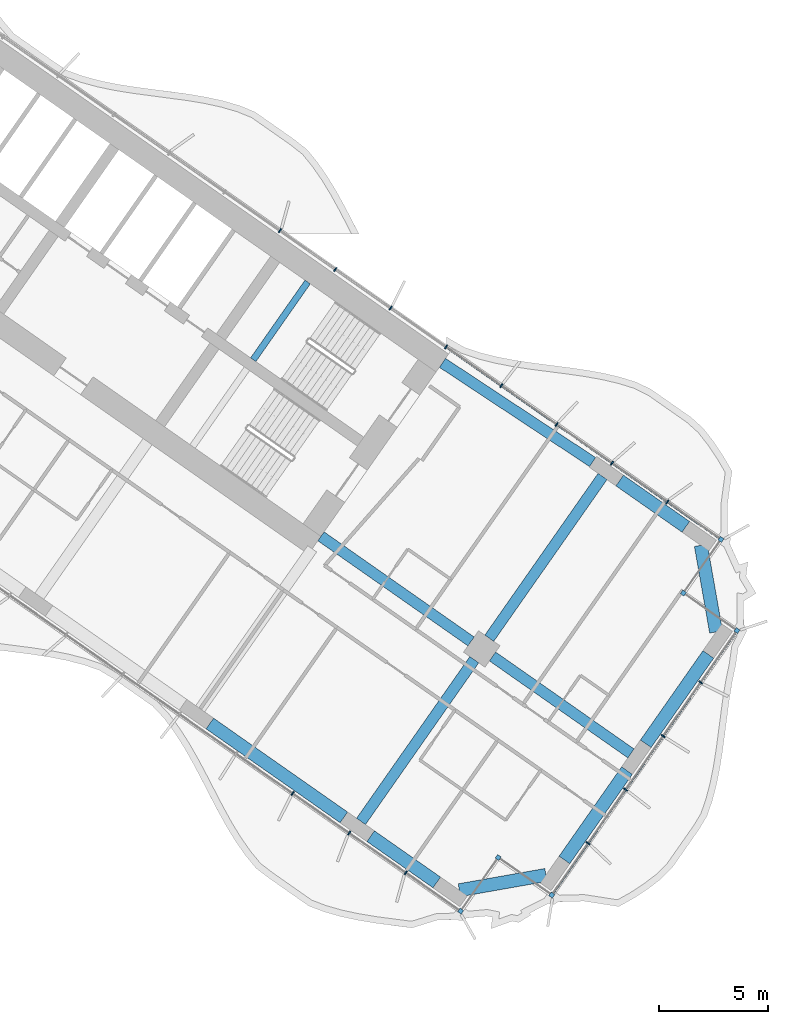
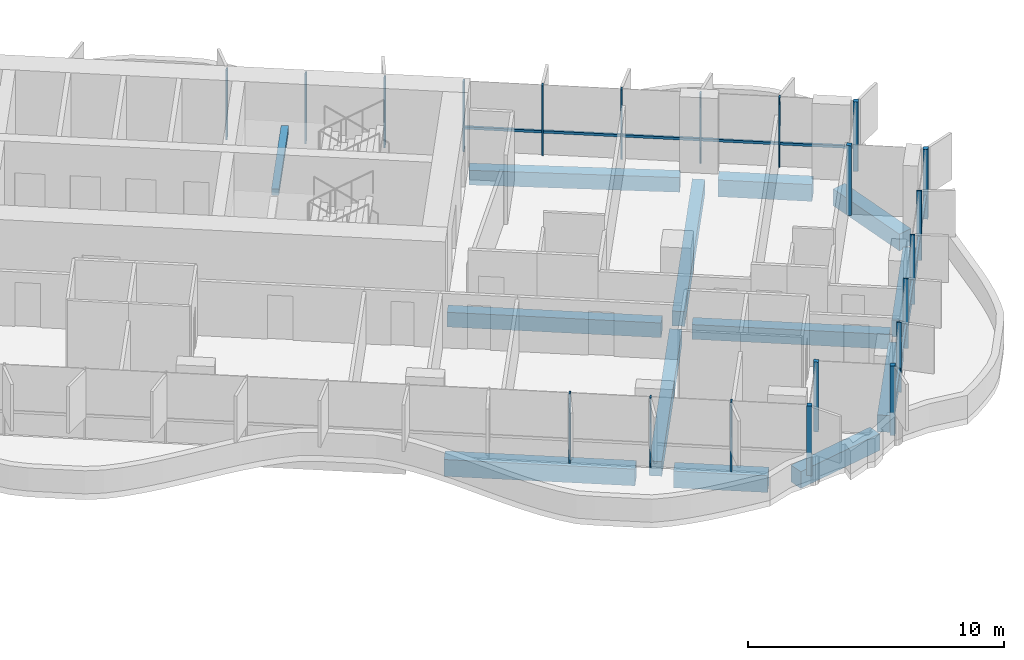
# One storey, part 9 of 23: 23 members, 13 beams, 2 elements without a shape of their own.
"""IFC4 building model written with IfcOpenShell, lengths in metres."""

from ifc_helpers import new_model, si_unit, direction, frame, origin, origin_2d, place, context, subcontext, project, spatial, rectangle, extrude, material, material_profile, profile_set, type_object, element, aggregate, save


model = new_model("IFC4")

# Units and contexts
model_context = context("Model", 3, precision=1e-05, world=origin(), true_north=direction((0.0, 1.0)))
body_context = subcontext(model_context, "Body", "Model", "MODEL_VIEW")
ifc_project = project(units=[si_unit("LENGTHUNIT", "METRE"), si_unit("AREAUNIT", "SQUARE_METRE"), si_unit("VOLUMEUNIT", "CUBIC_METRE"), si_unit("PLANEANGLEUNIT", "RADIAN"), si_unit("MASSUNIT", "GRAM", prefix="KILO")], contexts=[model_context])

# Site, building, storey
site_placement = place(None, origin())
site = spatial("IfcSite", under=ifc_project, at=site_placement, CompositionType="ELEMENT")
building_placement = place(site_placement, origin())
building = spatial("IfcBuilding", under=site, at=building_placement, Name="Tel Ilan Convention Tower", CompositionType="ELEMENT")
storey_placement = place(building_placement, frame((0.0, 0.0, 86.89990234375)))
storey = spatial("IfcBuildingStorey", under=building, at=storey_placement, Name="L17", CompositionType="ELEMENT", Elevation=86.89990234375)

# Beams
ifc_material_1 = material(Name="Concrete C40/50", Category="concrete")
ifc_material_profile_1 = material_profile(ifc_material_1, rectangle(XDim=0.5, YDim=0.699951171875, at=origin_2d()), Name="RC 500x700")
ifc_profile_set_1 = profile_set([ifc_material_profile_1], Name="Concrete C40/50")
beam_type_1 = type_object("IfcBeamType", Name="Beam RC 500x700 Concrete C40/50", PredefinedType="BEAM", material=ifc_profile_set_1)
beam_1_placement = place(storey_placement, frame((34.570556640625, -12.08447265625, -0.6298828125), z_axis=(-0.834273603487, 0.551350663847, 0.0), x_axis=(-0.551350663847, -0.834273603487, 0.0)))
element("IfcBeam", 1, at=beam_1_placement, inside=storey, type_object=beam_type_1, Name="L17 beam E-E-B4-core", PredefinedType="BEAM", context=body_context, shape_type="SweptSolid", body=[
    extrude(rectangle(XDim=0.5, YDim=0.699951171875, at=origin_2d()), origin(), (0.0, 0.0, 1.0), 8.2529296875),
])
beam_2_placement = place(storey_placement, frame((22.1171875, -15.486572265625, -0.6298828125), z_axis=(0.819147254605, -0.573583276668, 0.0), x_axis=(0.573583276668, 0.819147254605, 0.0)))
element("IfcBeam", 2, at=beam_2_placement, inside=storey, type_object=beam_type_1, Name="L17 beam E-core-E-M4", PredefinedType="BEAM", context=body_context, shape_type="SweptSolid", body=[
    extrude(rectangle(XDim=0.5, YDim=0.699951171875, at=origin_2d()), origin(), (0.0, 0.0, 1.0), 8.400146484375),
])
beam_3_placement = place(storey_placement, frame((29.98095703125, -20.992919921875, -0.6298828125), z_axis=(0.819159394801, -0.573565938589, 0.0), x_axis=(0.573565938589, 0.819159394801, 0.0)))
element("IfcBeam", 3, at=beam_3_placement, inside=storey, type_object=beam_type_1, Name="L17 beam E-E-M4-end", PredefinedType="BEAM", context=body_context, shape_type="SweptSolid", body=[
    extrude(rectangle(XDim=0.5, YDim=0.699951171875, at=origin_2d()), origin(), (0.0, 0.0, 1.0), 7.75),
])
for number, where, z_axis, x_axis, name in (
    (4, (29.145263671875, -21.14013671875, -0.6298828125), (-0.573549245583, -0.819171082798, 0.0), (0.819171082798, -0.573549245583, 0.0), "L17 beam E-E-M4-E-F4"),
    (5, (29.83349609375, -20.1572265625, -0.6298828125), (0.57358002233, 0.819149533348, 0.0), (-0.819149533348, 0.57358002233, 0.0), "L17 beam E-E-M4-E-B4"),
):
    element("IfcBeam", number, at=place(storey_placement, frame(where, z_axis=z_axis, x_axis=x_axis)), inside=storey, type_object=beam_type_1, Name=name, PredefinedType="BEAM", context=body_context, shape_type="SweptSolid", body=[
        extrude(rectangle(XDim=0.5, YDim=0.699951171875, at=origin_2d()), origin(), (0.0, 0.0, 1.0), 9.050048828125),
    ])
ifc_material_2 = material(Name="Concrete C40/50", Category="concrete")
ifc_material_profile_2 = material_profile(ifc_material_2, rectangle(XDim=0.60009765625, YDim=0.800048828125, at=origin_2d()), Name="RC 600x800")
ifc_profile_set_2 = profile_set([ifc_material_profile_2], Name="Concrete C40/50")
beam_type_2 = type_object("IfcBeamType", Name="Beam RC 600x800 Concrete C40/50", PredefinedType="BEAM", material=ifc_profile_set_2)
beam_4_placement = place(storey_placement, frame((17.0244140625, -24.0673828125, -0.679931640625), z_axis=(0.81915238829, -0.573575945067, 0.0), x_axis=(0.573575945067, 0.81915238829, 0.0)))
element("IfcBeam", 6, at=beam_4_placement, inside=storey, type_object=beam_type_2, Name="L17 beam E-E-F3-E-F4", PredefinedType="BEAM", context=body_context, shape_type="SweptSolid", body=[
    extrude(rectangle(XDim=0.60009765625, YDim=0.800048828125, at=origin_2d()), origin(), (0.0, 0.0, 1.0), 7.5),
])
beam_5_placement = place(storey_placement, frame((24.396728515625, -29.2294921875, -0.679931640625), z_axis=(0.819132709951, -0.573604047656, 0.0), x_axis=(0.573604047656, 0.819132709951, 0.0)))
element("IfcBeam", 7, at=beam_5_placement, inside=storey, type_object=beam_type_2, Name="L17 beam E-E-F4-E-FC", PredefinedType="BEAM", context=body_context, shape_type="SweptSolid", body=[
    extrude(rectangle(XDim=0.60009765625, YDim=0.800048828125, at=origin_2d()), origin(), (0.0, 0.0, 1.0), 3.699951171875),
])
beam_6_placement = place(storey_placement, frame((28.459716796875, -31.708251953125, -0.679931640625), z_axis=(0.984806721117, 0.173654029734, 0.0), x_axis=(-0.173654029734, 0.984806721117, 0.0)))
element("IfcBeam", 8, at=beam_6_placement, inside=storey, type_object=beam_type_2, Name="L17 beam E-E-FC-E-E1", PredefinedType="BEAM", context=body_context, shape_type="SweptSolid", body=[
    extrude(rectangle(XDim=0.60009765625, YDim=0.800048828125, at=origin_2d()), origin(), (0.0, 0.0, 1.0), 4.03076171875),
])
for number, where, z_axis, x_axis, name in (
    (9, (33.277099609375, -30.3203125, -0.679931640625), (0.573586866468, 0.819144740944, 0.0), (-0.819144740944, 0.573586866468, 0.0), "L17 beam E-E-E1-E-E2"),
    (10, (37.00537109375, -24.995849609375, -0.679931640625), (0.573586866468, 0.819144740944, 0.0), (-0.819144740944, 0.573586866468, 0.0), "L17 beam E-E-E2-E-E3"),
):
    element("IfcBeam", number, at=place(storey_placement, frame(where, z_axis=z_axis, x_axis=x_axis)), inside=storey, type_object=beam_type_2, Name=name, PredefinedType="BEAM", context=body_context, shape_type="SweptSolid", body=[
        extrude(rectangle(XDim=0.60009765625, YDim=0.800048828125, at=origin_2d()), origin(), (0.0, 0.0, 1.0), 5.0),
    ])
beam_7_placement = place(storey_placement, frame((40.229736328125, -19.867919921875, -0.679931640625), z_axis=(-0.173664388751, 0.984804894423, 0.0), x_axis=(-0.984804894423, -0.173664388751, 0.0)))
element("IfcBeam", 11, at=beam_7_placement, inside=storey, type_object=beam_type_2, Name="L17 beam E-E-E3-E-BC", PredefinedType="BEAM", context=body_context, shape_type="SweptSolid", body=[
    extrude(rectangle(XDim=0.60009765625, YDim=0.800048828125, at=origin_2d()), origin(), (0.0, 0.0, 1.0), 4.030517578125),
])
beam_8_placement = place(storey_placement, frame((38.841796875, -15.050537109375, -0.679931640625), z_axis=(-0.819185419371, 0.573528768842, 0.0), x_axis=(-0.573528768842, -0.819185419371, 0.0)))
element("IfcBeam", 12, at=beam_8_placement, inside=storey, type_object=beam_type_2, Name="L17 beam E-E-BC-E-B4", PredefinedType="BEAM", context=body_context, shape_type="SweptSolid", body=[
    extrude(rectangle(XDim=0.60009765625, YDim=0.800048828125, at=origin_2d()), origin(), (0.0, 0.0, 1.0), 3.699951171875),
])

# Curtain wall, members
ifc_material_3 = material(Name="Aluminium, bronze anodised", Category="aluminium")
curtain_wall_type_1 = type_object("IfcCurtainWallType", Name="CW1 UNITISED CURTAIN WALL, HOTEL TINTED GLASS", PredefinedType="NOTDEFINED", material=ifc_material_3)
curtain_wall_1_placement = place(storey_placement, origin())
curtain_wall_1 = element("IfcCurtainWall", 13, at=curtain_wall_1_placement, inside=storey, type_object=curtain_wall_type_1, Name="Curtain wall CW1-15.02", PredefinedType="NOTDEFINED")
ifc_material_4 = material(Name="Aluminium, bronze anodised", Category="aluminium")
ifc_material_profile_3 = material_profile(ifc_material_4, rectangle(XDim=0.199951171875, YDim=0.199951171875, at=origin_2d()), Name="CW CORNER MULLION 200x200")
ifc_profile_set_3 = profile_set([ifc_material_profile_3], Name="Aluminium, bronze anodised")
member_type_1 = type_object("IfcMemberType", Name="CW CORNER MULLION 200x200", PredefinedType="MULLION", material=ifc_profile_set_3)
member_1_placement = place(storey_placement, frame((28.52099609375, -32.666748046875, 0.0), z_axis=(0.0, 0.0, 1.0), x_axis=(0.819152044289, -0.573576436351, 0.0)))
member_1 = element("IfcMember", 14, at=member_1_placement, type_object=member_type_1, Name="Corner mullion", PredefinedType="MULLION", context=body_context, shape_type="SweptSolid", body=[
    extrude(rectangle(XDim=0.199951171875, YDim=0.199951171875, at=origin_2d()), origin(), (0.0, 0.0, 1.0), 3.320068359375),
])
member_2_placement = place(storey_placement, frame((30.241943359375, -30.209228515625, 0.0), z_axis=(0.0, 0.0, 1.0), x_axis=(0.573576436351, 0.819152044289, 0.0)))
member_2 = element("IfcMember", 15, at=member_2_placement, type_object=member_type_1, Name="Corner mullion", PredefinedType="MULLION", context=body_context, shape_type="SweptSolid", body=[
    extrude(rectangle(XDim=0.199951171875, YDim=0.199951171875, at=origin_2d()), origin(), (0.0, 0.0, 1.0), 3.320068359375),
])
member_3_placement = place(storey_placement, frame((32.69921875, -31.929931640625, 0.0), z_axis=(0.0, 0.0, 1.0), x_axis=(0.819152044289, -0.573576436351, 0.0)))
member_3 = element("IfcMember", 16, at=member_3_placement, type_object=member_type_1, Name="Corner mullion", PredefinedType="MULLION", context=body_context, shape_type="SweptSolid", body=[
    extrude(rectangle(XDim=0.199951171875, YDim=0.199951171875, at=origin_2d()), origin(), (0.0, 0.0, 1.0), 3.320068359375),
])
member_4_placement = place(storey_placement, frame((41.188232421875, -19.806640625, 0.0), z_axis=(0.0, 0.0, 1.0), x_axis=(0.573576436351, 0.819152044289, 0.0)))
member_4 = element("IfcMember", 17, at=member_4_placement, type_object=member_type_1, Name="Corner mullion", PredefinedType="MULLION", context=body_context, shape_type="SweptSolid", body=[
    extrude(rectangle(XDim=0.199951171875, YDim=0.199951171875, at=origin_2d()), origin(), (0.0, 0.0, 1.0), 3.320068359375),
])
member_5_placement = place(storey_placement, frame((38.730712890625, -18.0859375, 0.0), z_axis=(0.0, 0.0, 1.0), x_axis=(-0.819152044289, 0.573576436351, 0.0)))
member_5 = element("IfcMember", 18, at=member_5_placement, type_object=member_type_1, Name="Corner mullion", PredefinedType="MULLION", context=body_context, shape_type="SweptSolid", body=[
    extrude(rectangle(XDim=0.199951171875, YDim=0.199951171875, at=origin_2d()), origin(), (0.0, 0.0, 1.0), 3.320068359375),
])
member_6_placement = place(storey_placement, frame((40.451416015625, -15.62841796875, 0.0), z_axis=(0.0, 0.0, 1.0), x_axis=(0.573576436351, 0.819152044289, 0.0)))
member_6 = element("IfcMember", 19, at=member_6_placement, type_object=member_type_1, Name="Corner mullion", PredefinedType="MULLION", context=body_context, shape_type="SweptSolid", body=[
    extrude(rectangle(XDim=0.199951171875, YDim=0.199951171875, at=origin_2d()), origin(), (0.0, 0.0, 1.0), 3.320068359375),
])

ifc_material_5 = material(Name="Aluminium, bronze anodised", Category="aluminium")
curtain_wall_type_2 = type_object("IfcCurtainWallType", Name="CW2 STICK CURTAIN WALL, SPANDREL PANELS", PredefinedType="NOTDEFINED", material=ifc_material_5)
curtain_wall_2_placement = place(storey_placement, origin())
curtain_wall_2 = element("IfcCurtainWall", 20, at=curtain_wall_2_placement, inside=storey, type_object=curtain_wall_type_2, Name="Curtain wall CW2-15.01", PredefinedType="NOTDEFINED")
ifc_material_6 = material(Name="Aluminium, bronze anodised", Category="aluminium")
ifc_material_profile_4 = material_profile(ifc_material_6, rectangle(XDim=0.06005859375, YDim=0.199951171875, at=origin_2d()), Name="CW MULLION 60x200")
ifc_profile_set_4 = profile_set([ifc_material_profile_4], Name="Aluminium, bronze anodised")
member_type_2 = type_object("IfcMemberType", Name="CW MULLION 60x200", PredefinedType="MULLION", material=ifc_profile_set_4)
member_7_placement = place(storey_placement, frame((27.848876953125, -6.803955078125, 0.0), z_axis=(0.0, 0.0, 1.0), x_axis=(-0.819152044289, 0.573576436351, 0.0)))
member_7 = element("IfcMember", 21, at=member_7_placement, type_object=member_type_2, Name="Mullion", PredefinedType="MULLION", context=body_context, shape_type="SweptSolid", body=[
    extrude(rectangle(XDim=0.06005859375, YDim=0.199951171875, at=origin_2d()), origin(), (0.0, 0.0, 1.0), 3.320068359375),
])
member_8_placement = place(storey_placement, frame((25.311767578125, -5.027587890625, 0.0), z_axis=(0.0, 0.0, 1.0), x_axis=(-0.819152044289, 0.573576436351, 0.0)))
member_8 = element("IfcMember", 22, at=member_8_placement, type_object=member_type_2, Name="Mullion", PredefinedType="MULLION", context=body_context, shape_type="SweptSolid", body=[
    extrude(rectangle(XDim=0.06005859375, YDim=0.199951171875, at=origin_2d()), origin(), (0.0, 0.0, 1.0), 3.320068359375),
])
member_9_placement = place(storey_placement, frame((22.77490234375, -3.251220703125, 0.0), z_axis=(0.0, 0.0, 1.0), x_axis=(-0.819152044289, 0.573576436351, 0.0)))
member_9 = element("IfcMember", 23, at=member_9_placement, type_object=member_type_2, Name="Mullion", PredefinedType="MULLION", context=body_context, shape_type="SweptSolid", body=[
    extrude(rectangle(XDim=0.06005859375, YDim=0.199951171875, at=origin_2d()), origin(), (0.0, 0.0, 1.0), 3.320068359375),
])
member_10_placement = place(storey_placement, frame((20.238037109375, -1.474853515625, 0.0), z_axis=(0.0, 0.0, 1.0), x_axis=(-0.819152044289, 0.573576436351, 0.0)))
member_10 = element("IfcMember", 24, at=member_10_placement, type_object=member_type_2, Name="Mullion", PredefinedType="MULLION", context=body_context, shape_type="SweptSolid", body=[
    extrude(rectangle(XDim=0.06005859375, YDim=0.199951171875, at=origin_2d()), origin(), (0.0, 0.0, 1.0), 3.320068359375),
])
aggregate(curtain_wall_2, [member_7, member_8, member_9, member_10])

# Member
member_11_placement = place(storey_placement, frame((20.81787109375, -27.27294921875, 0.0), z_axis=(0.0, 0.0, 1.0), x_axis=(0.819152044289, -0.573576436351, 0.0)))
member_11 = element("IfcMember", 25, at=member_11_placement, type_object=member_type_2, Name="Mullion", PredefinedType="MULLION", context=body_context, shape_type="SweptSolid", body=[
    extrude(rectangle(XDim=0.06005859375, YDim=0.199951171875, at=origin_2d()), origin(), (0.0, 0.0, 1.0), 3.320068359375),
])

member_12_placement = place(storey_placement, frame((23.412841796875, -29.08984375, 0.0), z_axis=(0.0, 0.0, 1.0), x_axis=(0.819152044289, -0.573576436351, 0.0)))
member_12 = element("IfcMember", 26, at=member_12_placement, type_object=member_type_2, Name="Mullion", PredefinedType="MULLION", context=body_context, shape_type="SweptSolid", body=[
    extrude(rectangle(XDim=0.06005859375, YDim=0.199951171875, at=origin_2d()), origin(), (0.0, 0.0, 1.0), 3.320068359375),
])

member_13_placement = place(storey_placement, frame((26.008056640625, -30.906982421875, 0.0), z_axis=(0.0, 0.0, 1.0), x_axis=(0.819152044289, -0.573576436351, 0.0)))
member_13 = element("IfcMember", 27, at=member_13_placement, type_object=member_type_2, Name="Mullion", PredefinedType="MULLION", context=body_context, shape_type="SweptSolid", body=[
    extrude(rectangle(XDim=0.06005859375, YDim=0.199951171875, at=origin_2d()), origin(), (0.0, 0.0, 1.0), 3.320068359375),
])

member_14_placement = place(storey_placement, frame((34.362548828125, -29.554443359375, 0.0), z_axis=(0.0, 0.0, 1.0), x_axis=(0.573576436351, 0.819152044289, 0.0)))
member_14 = element("IfcMember", 28, at=member_14_placement, type_object=member_type_2, Name="Mullion", PredefinedType="MULLION", context=body_context, shape_type="SweptSolid", body=[
    extrude(rectangle(XDim=0.06005859375, YDim=0.199951171875, at=origin_2d()), origin(), (0.0, 0.0, 1.0), 3.320068359375),
])

member_15_placement = place(storey_placement, frame((36.08349609375, -27.096923828125, 0.0), z_axis=(0.0, 0.0, 1.0), x_axis=(0.573576436351, 0.819152044289, 0.0)))
member_15 = element("IfcMember", 29, at=member_15_placement, type_object=member_type_2, Name="Mullion", PredefinedType="MULLION", context=body_context, shape_type="SweptSolid", body=[
    extrude(rectangle(XDim=0.06005859375, YDim=0.199951171875, at=origin_2d()), origin(), (0.0, 0.0, 1.0), 3.320068359375),
])

member_16_placement = place(storey_placement, frame((37.80419921875, -24.6396484375, 0.0), z_axis=(0.0, 0.0, 1.0), x_axis=(0.573576436351, 0.819152044289, 0.0)))
member_16 = element("IfcMember", 30, at=member_16_placement, type_object=member_type_2, Name="Mullion", PredefinedType="MULLION", context=body_context, shape_type="SweptSolid", body=[
    extrude(rectangle(XDim=0.06005859375, YDim=0.199951171875, at=origin_2d()), origin(), (0.0, 0.0, 1.0), 3.320068359375),
])

member_17_placement = place(storey_placement, frame((39.52490234375, -22.18212890625, 0.0), z_axis=(0.0, 0.0, 1.0), x_axis=(0.573576436351, 0.819152044289, 0.0)))
member_17 = element("IfcMember", 31, at=member_17_placement, type_object=member_type_2, Name="Mullion", PredefinedType="MULLION", context=body_context, shape_type="SweptSolid", body=[
    extrude(rectangle(XDim=0.06005859375, YDim=0.199951171875, at=origin_2d()), origin(), (0.0, 0.0, 1.0), 3.320068359375),
])

member_18_placement = place(storey_placement, frame((37.99658203125, -13.909423828125, 0.0), z_axis=(0.0, 0.0, 1.0), x_axis=(-0.819152044289, 0.573576436351, 0.0)))
member_18 = element("IfcMember", 32, at=member_18_placement, type_object=member_type_2, Name="Mullion", PredefinedType="MULLION", context=body_context, shape_type="SweptSolid", body=[
    extrude(rectangle(XDim=0.06005859375, YDim=0.199951171875, at=origin_2d()), origin(), (0.0, 0.0, 1.0), 3.320068359375),
])

member_19_placement = place(storey_placement, frame((35.45947265625, -12.133056640625, 0.0), z_axis=(0.0, 0.0, 1.0), x_axis=(-0.819152044289, 0.573576436351, 0.0)))
member_19 = element("IfcMember", 33, at=member_19_placement, type_object=member_type_2, Name="Mullion", PredefinedType="MULLION", context=body_context, shape_type="SweptSolid", body=[
    extrude(rectangle(XDim=0.06005859375, YDim=0.199951171875, at=origin_2d()), origin(), (0.0, 0.0, 1.0), 3.320068359375),
])

member_20_placement = place(storey_placement, frame((32.922607421875, -10.356689453125, 0.0), z_axis=(0.0, 0.0, 1.0), x_axis=(-0.819152044289, 0.573576436351, 0.0)))
member_20 = element("IfcMember", 34, at=member_20_placement, type_object=member_type_2, Name="Mullion", PredefinedType="MULLION", context=body_context, shape_type="SweptSolid", body=[
    extrude(rectangle(XDim=0.06005859375, YDim=0.199951171875, at=origin_2d()), origin(), (0.0, 0.0, 1.0), 3.320068359375),
])

member_21_placement = place(storey_placement, frame((30.3857421875, -8.580322265625, 0.0), z_axis=(0.0, 0.0, 1.0), x_axis=(-0.819152044289, 0.573576436351, 0.0)))
member_21 = element("IfcMember", 35, at=member_21_placement, type_object=member_type_2, Name="Mullion", PredefinedType="MULLION", context=body_context, shape_type="SweptSolid", body=[
    extrude(rectangle(XDim=0.06005859375, YDim=0.199951171875, at=origin_2d()), origin(), (0.0, 0.0, 1.0), 3.320068359375),
])

ifc_material_7 = material(Name="Aluminium, bronze anodised", Category="aluminium")
ifc_material_profile_5 = material_profile(ifc_material_7, rectangle(XDim=0.10009765625, YDim=0.1201171875, at=origin_2d()), Name="CW TRANSOM 100x120")
ifc_profile_set_5 = profile_set([ifc_material_profile_5], Name="Aluminium, bronze anodised")
member_type_3 = type_object("IfcMemberType", Name="CW TRANSOM 100x120", PredefinedType="USERDEFINED", material=ifc_profile_set_5)
member_22_placement = place(storey_placement, frame((32.756591796875, -31.84814453125, 1.10009765625), z_axis=(0.573575688231, 0.819152568128, 0.0), x_axis=(-0.819152568128, 0.573575688231, 0.0)))
member_22 = element("IfcMember", 36, at=member_22_placement, type_object=member_type_3, Name="Transom", ObjectType="TRANSOM", PredefinedType="USERDEFINED", context=body_context, shape_type="SweptSolid", body=[
    extrude(rectangle(XDim=0.10009765625, YDim=0.1201171875, at=origin_2d()), origin(), (0.0, 0.0, 1.0), 14.60009765625),
])

member_23_placement = place(storey_placement, frame((40.36962890625, -15.571044921875, 1.10009765625), z_axis=(-0.819152967985, 0.573575117174, 0.0), x_axis=(-0.573575117174, -0.819152967985, 0.0)))
member_23 = element("IfcMember", 37, at=member_23_placement, type_object=member_type_3, Name="Transom", ObjectType="TRANSOM", PredefinedType="USERDEFINED", context=body_context, shape_type="SweptSolid", body=[
    extrude(rectangle(XDim=0.10009765625, YDim=0.1201171875, at=origin_2d()), origin(), (0.0, 0.0, 1.0), 15.255126953125),
])

aggregate(curtain_wall_1, [member_11, member_12, member_13, member_1, member_2, member_3, member_14, member_15, member_16, member_17, member_4, member_22, member_5, member_6, member_18, member_19, member_20, member_21, member_23])

# Beam
ifc_material_8 = material(Name="Concrete C40/50", Category="concrete")
ifc_material_profile_6 = material_profile(ifc_material_8, rectangle(XDim=0.300048828125, YDim=0.300048828125, at=origin_2d()), Name="RC 300x300")
ifc_profile_set_6 = profile_set([ifc_material_profile_6], Name="Concrete C40/50")
beam_type_3 = type_object("IfcBeamType", Name="Landing Beam RC 300x300 Concrete C40/50", PredefinedType="BEAM", material=ifc_profile_set_6)
beam_9_placement = place(storey_placement, frame((21.5087890625, -3.829345703125, 1.4501953125), z_axis=(-0.57356780395, -0.819158088694, 0.0), x_axis=(0.819158088694, -0.57356780395, 0.0)))
element("IfcBeam", 38, at=beam_9_placement, inside=storey, type_object=beam_type_3, Name="S3 landing beam L17.1", PredefinedType="BEAM", context=body_context, shape_type="SweptSolid", body=[
    extrude(rectangle(XDim=0.300048828125, YDim=0.300048828125, at=origin_2d()), origin(), (0.0, 0.0, 1.0), 4.35009765625),
])

save(model, "model.ifc")
